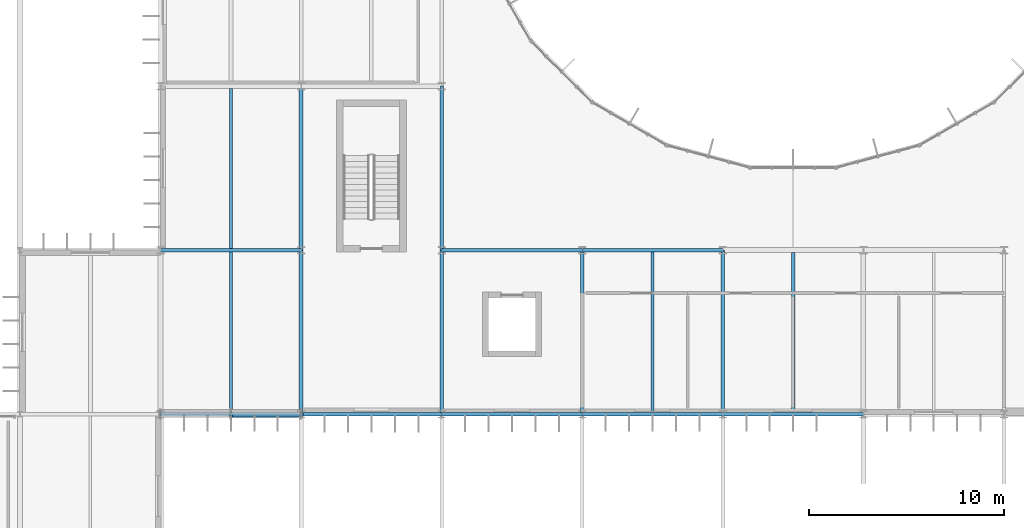
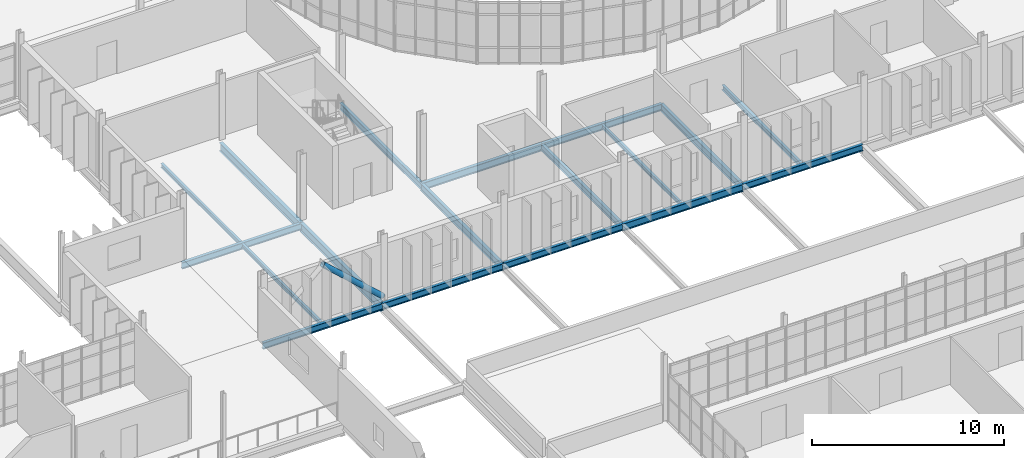
# One storey, part 40 of 119: 18 beams, 1 member.
"""IFC4 building model written with IfcOpenShell, lengths in metres."""

import ifcopenshell
import ifcopenshell.guid

model = None  # the IFC model being written
_history = None  # IfcOwnerHistory: only IFC2X3 demands one
_inside = {}  # id of a spatial element -> (the spatial element, [elements in it])
_under = {}  # id of a project, library or spatial element -> (it, [spatial elements below it])
_declared = {}  # id of a project -> (the project, [libraries it declares])
_typed = {}  # id of a type object -> (the type object, [elements of that type])
_made_of = {}  # id of a material, layer set ... -> (it, [elements and type objects made of it])


def new_model(schema):
    """Start an empty IFC model of exactly this schema.

    Asked for "IFC4X3", IfcOpenShell would pick the latest addendum, in which some entities
    have other attributes; the version numbers below select the first issue.
    IFC2X3 requires an IfcOwnerHistory on every rooted entity: one is made here for all.
    """
    global model, _history
    if schema == "IFC4X3":
        model = ifcopenshell.file(schema_version=(4, 3, 0, 0))
    else:
        model = ifcopenshell.file(schema=schema)
    _inside.clear()
    _under.clear()
    _declared.clear()
    _typed.clear()
    _made_of.clear()
    _history = None
    if model.schema == "IFC2X3":
        org = make("IfcOrganization", Name="unknown")
        user = make(
            "IfcPersonAndOrganization",
            ThePerson=make("IfcPerson", FamilyName="unknown"),
            TheOrganization=org,
        )
        app = make(
            "IfcApplication",
            ApplicationDeveloper=org,
            Version="unknown",
            ApplicationFullName="unknown",
            ApplicationIdentifier="unknown",
        )
        _history = make(
            "IfcOwnerHistory",
            OwningUser=user,
            OwningApplication=app,
            ChangeAction="ADDED",
            CreationDate=0,
        )
    return model


def make(cls, **values):
    """One entity of the class cls with the attributes given. An attribute that is None is left unset."""
    return model.create_entity(
        cls, **{name: value for name, value in values.items() if value is not None}
    )


def rooted(cls, **values):
    """An entity with a GlobalId (a new one), such as an element, a storey or a relation."""
    return make(cls, GlobalId=ifcopenshell.guid.new(), OwnerHistory=_history, **values)


def si_unit(unit_type, name, prefix=None):
    """IfcSIUnit, for example si_unit("LENGTHUNIT", "METRE", prefix="MILLI")."""
    return make("IfcSIUnit", UnitType=unit_type, Prefix=prefix, Name=name)


def assignment(units):
    """IfcUnitAssignment: the units of a project."""
    return None if units is None else make("IfcUnitAssignment", Units=units)


def point(xyz):
    """IfcCartesianPoint."""
    return None if xyz is None else make("IfcCartesianPoint", Coordinates=xyz)


def direction(xyz):
    """IfcDirection."""
    return None if xyz is None else make("IfcDirection", DirectionRatios=xyz)


def frame(location, z_axis=None, x_axis=None):
    """IfcAxis2Placement3D, a coordinate frame: its origin and axes. An axis left out is left unset."""
    return make(
        "IfcAxis2Placement3D",
        Location=point(location),
        Axis=direction(z_axis),
        RefDirection=direction(x_axis),
    )


def frame_2d(location, x_axis=None):
    """IfcAxis2Placement2D, a coordinate frame in the plane: its origin and x axis."""
    return make(
        "IfcAxis2Placement2D", Location=point(location), RefDirection=direction(x_axis)
    )


def origin():
    """The frame at (0, 0, 0) with its axes left unset."""
    return frame((0.0, 0.0, 0.0))


def origin_2d():
    """The frame at (0, 0) in the plane with its x axis left unset."""
    return frame_2d((0.0, 0.0))


def place(relative_to, where):
    """IfcLocalPlacement: puts the frame where relative to a parent placement (None: the world)."""
    return make(
        "IfcLocalPlacement", PlacementRelTo=relative_to, RelativePlacement=where
    )


def context(
    kind, dimensions, precision=None, world=None, true_north=None, identifier=None
):
    """IfcGeometricRepresentationContext, for example the 3D "Model" context."""
    return make(
        "IfcGeometricRepresentationContext",
        ContextIdentifier=identifier,
        ContextType=kind,
        CoordinateSpaceDimension=dimensions,
        Precision=precision,
        WorldCoordinateSystem=world,
        TrueNorth=true_north,
    )


def subcontext(parent, identifier, kind, view, scale=None):
    """IfcGeometricRepresentationSubContext, for example "Body" below "Model"."""
    return make(
        "IfcGeometricRepresentationSubContext",
        ContextIdentifier=identifier,
        ContextType=kind,
        ParentContext=parent,
        TargetScale=scale,
        TargetView=view,
    )


def project(units=None, contexts=None):
    """IfcProject with its units and contexts."""
    return rooted(
        "IfcProject",
        Name="project",
        RepresentationContexts=contexts,
        UnitsInContext=assignment(units),
    )


def spatial(cls, under=None, at=None, **own):
    """A site, building, storey or space (cls), placed at a placement, below another one or the project."""
    s = rooted(cls, ObjectPlacement=at, **own)
    if under is not None:
        _under.setdefault(under.id(), (under, []))[1].append(s)
    return s


def profile(cls, at=None, kind="AREA", **sizes):
    """A parametric profile (cls). Its sizes go by their IFC names, for example OverallWidth=200.0."""
    return make(cls, ProfileType=kind, Position=at, **sizes)


def hollow_circle(**sizes):
    """IfcCircleHollowProfileDef."""
    return profile("IfcCircleHollowProfileDef", **sizes)


def i_section(**sizes):
    """IfcIShapeProfileDef."""
    return profile("IfcIShapeProfileDef", **sizes)


def extrude(swept, where, along, depth):
    """IfcExtrudedAreaSolid: the profile swept, set in the frame where, extruded along a direction by depth."""
    return make(
        "IfcExtrudedAreaSolid",
        SweptArea=swept,
        Position=where,
        ExtrudedDirection=direction(along),
        Depth=depth,
    )


def shape(context_of_items, identifier, shape_type, items):
    """IfcShapeRepresentation: the items that make up one representation, for example the "Body"."""
    return make(
        "IfcShapeRepresentation",
        ContextOfItems=context_of_items,
        RepresentationIdentifier=identifier,
        RepresentationType=shape_type,
        Items=items,
    )


def material(Name=None, Category=None):
    """IfcMaterial."""
    return make("IfcMaterial", Name=Name, Category=Category)


def material_profile(
    of_material, cross_section, Name=None, Category=None, Priority=None
):
    """IfcMaterialProfile: a cross section and its material."""
    return make(
        "IfcMaterialProfile",
        Name=Name,
        Material=of_material,
        Profile=cross_section,
        Priority=Priority,
        Category=Category,
    )


def profile_set(profiles, Name=None, composite=None):
    """IfcMaterialProfileSet."""
    return make(
        "IfcMaterialProfileSet",
        Name=Name,
        MaterialProfiles=profiles,
        CompositeProfile=composite,
    )


def made_of(thing, what):
    """Note that an element or type object is made of a material, layer set ...; save() writes the relation."""
    if what is not None:
        _made_of.setdefault(what.id(), (what, []))[1].append(thing)
    return thing


def type_object(cls, material=None, **own):
    """A type object (cls), such as IfcWallType, which elements share."""
    return made_of(rooted(cls, **own), material)


def element(
    cls,
    number,
    at=None,
    inside=None,
    cuts=None,
    type_object=None,
    material=None,
    context=None,
    identifier="Body",
    shape_type=None,
    held_by="IfcProductDefinitionShape",
    body=None,
    shapes=None,
    **own,
):
    """One element of the class cls, such as IfcWall. Its Tag is "e" and its number.

    at: its placement. inside: the storey or other place that contains it. cuts: it is an
    opening in that element (IfcRelVoidsElement). A single representation is given by context,
    identifier, shape_type and body (its items); several are given by shapes. held_by: the class
    of the entity that holds the representations. save() writes the other relations.
    """
    e = rooted(cls, Tag="e%d" % number, ObjectPlacement=at, **own)
    if body is not None:
        shapes = [shape(context, identifier, shape_type, body)]
    if shapes is not None:
        e.Representation = make(held_by, Representations=shapes)
    if inside is not None:
        _inside.setdefault(inside.id(), (inside, []))[1].append(e)
    if cuts is not None:
        rooted(
            "IfcRelVoidsElement", RelatingBuildingElement=cuts, RelatedOpeningElement=e
        )
    if type_object is not None:
        _typed.setdefault(type_object.id(), (type_object, []))[1].append(e)
    return made_of(e, material)


def aggregate(whole, parts):
    """IfcRelAggregates: a whole, such as a stair, and the parts it consists of."""
    return rooted("IfcRelAggregates", RelatingObject=whole, RelatedObjects=parts)


def save(model, path):
    """Write the relations noted so far, then the file.

    IfcRelAggregates (storeys below a building ...), IfcRelContainedInSpatialStructure (elements
    in a storey), IfcRelDefinesByType, IfcRelAssociatesMaterial and IfcRelDeclares: one each for
    every whole, place, type object, material and project.
    """
    for whole, parts in _under.values():
        aggregate(whole, parts)
    for where, things in _inside.values():
        rooted(
            "IfcRelContainedInSpatialStructure",
            RelatedElements=things,
            RelatingStructure=where,
        )
    for kind, things in _typed.values():
        rooted("IfcRelDefinesByType", RelatedObjects=things, RelatingType=kind)
    for what, things in _made_of.values():
        rooted("IfcRelAssociatesMaterial", RelatedObjects=things, RelatingMaterial=what)
    for by, libraries in _declared.values():
        rooted("IfcRelDeclares", RelatingContext=by, RelatedDefinitions=libraries)
    model.write(path)


model = new_model("IFC4")

# Units and contexts
model_context = context("Model", 3, precision=1e-05, world=origin(), true_north=direction((0.0, 1.0)))
body_context = subcontext(model_context, "Body", "Model", "MODEL_VIEW")
ifc_project = project(units=[si_unit("LENGTHUNIT", "METRE"), si_unit("AREAUNIT", "SQUARE_METRE"), si_unit("VOLUMEUNIT", "CUBIC_METRE"), si_unit("PLANEANGLEUNIT", "RADIAN"), si_unit("MASSUNIT", "GRAM", prefix="KILO")], contexts=[model_context])

# Site, building, storey
site_placement = place(None, origin())
site = spatial("IfcSite", under=ifc_project, at=site_placement, CompositionType="ELEMENT")
building_placement = place(site_placement, origin())
building = spatial("IfcBuilding", under=site, at=building_placement, Name="Qelthora Terrace Specialist Clinic", CompositionType="ELEMENT")
storey_placement = place(building_placement, frame((0.0, 0.0, 4.800048828125)))
storey = spatial("IfcBuildingStorey", under=building, at=storey_placement, Name="L01", CompositionType="ELEMENT", Elevation=4.800048828125)

# Beams
ifc_material = material(Name="Steel S355", Category="steel")
ifc_material_profile_1 = material_profile(ifc_material, i_section(OverallWidth=0.178955078125, OverallDepth=0.409912109375, WebThickness=0.0087890625, FlangeThickness=0.014404296875, FilletRadius=0.011962890625, at=origin_2d()), Name="W410X67")
ifc_profile_set_1 = profile_set([ifc_material_profile_1], Name="Steel S355")
beam_type_1 = type_object("IfcBeamType", Name="BM-W410X67", PredefinedType="BEAM", material=ifc_profile_set_1)
for number, where, z_axis, x_axis, name in (
    (1, (93.60009765625, 33.60009765625, -0.455078125), (1.0, 0.0, 0.0), (0.0, 1.0, 0.0), "Girder BMX-L01-0206"),
    (2, (108.0, 33.60009765625, -0.455078125), (1.0, 0.0, 0.0), (0.0, 1.0, 0.0), "Girder BMX-L01-0208"),
):
    element("IfcBeam", number, at=place(storey_placement, frame(where, z_axis=z_axis, x_axis=x_axis)), inside=storey, type_object=beam_type_1, Name=name, PredefinedType="BEAM", context=body_context, shape_type="SweptSolid", body=[
        extrude(i_section(OverallWidth=0.178955078125, OverallDepth=0.409912109375, WebThickness=0.0087890625, FlangeThickness=0.014404296875, FilletRadius=0.011962890625, at=origin_2d()), origin(), (0.0, 0.0, 1.0), 7.199951171875),
    ])
beam_1_placement = place(storey_placement, frame((122.39990234375, 33.60009765625, -0.455078125), z_axis=(1.0, 0.0, 0.0), x_axis=(0.0, 1.0, 0.0)))
element("IfcBeam", 3, at=beam_1_placement, inside=storey, type_object=beam_type_1, Name="Girder BMX-L01-0210", PredefinedType="BEAM", context=body_context, shape_type="SweptSolid", body=[
    extrude(i_section(OverallWidth=0.178955078125, OverallDepth=0.409912109375, WebThickness=0.0087890625, FlangeThickness=0.014404296875, FilletRadius=0.011962890625, at=origin_2d()), origin(), (0.0, 0.0, 1.0), 7.2001953125),
])
for number, where, z_axis, x_axis, name in (
    (4, (93.60009765625, 42.0, -0.455078125), (1.0, 0.0, 0.0), (0.0, 1.0, 0.0), "Girder BMX-L01-0222"),
    (5, (115.199951171875, 42.0, -0.455078125), (1.0, 0.0, 0.0), (0.0, 1.0, 0.0), "Girder BMX-L01-0224"),
):
    element("IfcBeam", number, at=place(storey_placement, frame(where, z_axis=z_axis, x_axis=x_axis)), inside=storey, type_object=beam_type_1, Name=name, PredefinedType="BEAM", context=body_context, shape_type="SweptSolid", body=[
        extrude(i_section(OverallWidth=0.178955078125, OverallDepth=0.409912109375, WebThickness=0.0087890625, FlangeThickness=0.014404296875, FilletRadius=0.011962890625, at=origin_2d()), origin(), (0.0, 0.0, 1.0), 7.199951171875),
    ])
beam_2_placement = place(storey_placement, frame((115.199951171875, 33.60009765625, -0.455078125), z_axis=(0.0, 1.0, 0.0), x_axis=(-1.0, 0.0, 0.0)))
element("IfcBeam", 6, at=beam_2_placement, inside=storey, type_object=beam_type_1, Name="Girder BMY-L01-0490", PredefinedType="BEAM", context=body_context, shape_type="SweptSolid", body=[
    extrude(i_section(OverallWidth=0.178955078125, OverallDepth=0.409912109375, WebThickness=0.0087890625, FlangeThickness=0.014404296875, FilletRadius=0.011962890625, at=origin_2d()), origin(), (0.0, 0.0, 1.0), 8.39990234375),
])
ifc_material_profile_2 = material_profile(ifc_material, i_section(OverallWidth=0.179931640625, OverallDepth=0.4130859375, WebThickness=0.009765625, FlangeThickness=0.01611328125, FilletRadius=0.011962890625, at=origin_2d()), Name="W410X75")
ifc_profile_set_2 = profile_set([ifc_material_profile_2], Name="Steel S355")
beam_type_2 = type_object("IfcBeamType", Name="BM-W410X75", PredefinedType="BEAM", material=ifc_profile_set_2)
beam_3_placement = place(storey_placement, frame((100.800048828125, 33.60009765625, -0.45654296875), z_axis=(1.0, 0.0, 0.0), x_axis=(0.0, 1.0, 0.0)))
element("IfcBeam", 7, at=beam_3_placement, inside=storey, type_object=beam_type_2, Name="Girder BMX-L01-0207", PredefinedType="BEAM", context=body_context, shape_type="SweptSolid", body=[
    extrude(i_section(OverallWidth=0.179931640625, OverallDepth=0.4130859375, WebThickness=0.009765625, FlangeThickness=0.01611328125, FilletRadius=0.011962890625, at=origin_2d()), origin(), (0.0, 0.0, 1.0), 7.199951171875),
])
beam_4_placement = place(storey_placement, frame((108.0, 42.0, -0.45654296875), z_axis=(0.0, 1.0, 0.0), x_axis=(-1.0, 0.0, 0.0)))
element("IfcBeam", 8, at=beam_4_placement, inside=storey, type_object=beam_type_2, Name="Girder BMY-L01-0479", PredefinedType="BEAM", context=body_context, shape_type="SweptSolid", body=[
    extrude(i_section(OverallWidth=0.179931640625, OverallDepth=0.4130859375, WebThickness=0.009765625, FlangeThickness=0.01611328125, FilletRadius=0.011962890625, at=origin_2d()), origin(), (0.0, 0.0, 1.0), 8.39990234375),
])
ifc_material_profile_3 = material_profile(ifc_material, i_section(OverallWidth=0.19091796875, OverallDepth=0.4599609375, WebThickness=0.010009765625, FlangeThickness=0.01611328125, FilletRadius=0.012939453125, at=origin_2d()), Name="W460X82")
ifc_profile_set_3 = profile_set([ifc_material_profile_3], Name="Steel S355")
beam_type_3 = type_object("IfcBeamType", Name="BM-W460X82", PredefinedType="BEAM", material=ifc_profile_set_3)
for number, where, z_axis, x_axis, name in (
    (9, (115.199951171875, 33.60009765625, -0.47998046875), (1.0, 0.0, 0.0), (0.0, 1.0, 0.0), "Girder BMX-L01-0209"),
    (10, (108.0, 42.0, -0.47998046875), (1.0, 0.0, 0.0), (0.0, 1.0, 0.0), "Girder BMX-L01-0223"),
):
    element("IfcBeam", number, at=place(storey_placement, frame(where, z_axis=z_axis, x_axis=x_axis)), inside=storey, type_object=beam_type_3, Name=name, PredefinedType="BEAM", context=body_context, shape_type="SweptSolid", body=[
        extrude(i_section(OverallWidth=0.19091796875, OverallDepth=0.4599609375, WebThickness=0.010009765625, FlangeThickness=0.01611328125, FilletRadius=0.012939453125, at=origin_2d()), origin(), (0.0, 0.0, 1.0), 7.199951171875),
    ])
beam_5_placement = place(storey_placement, frame((108.0, 33.60009765625, -0.47998046875), z_axis=(0.0, 1.0, 0.0), x_axis=(-1.0, 0.0, 0.0)))
element("IfcBeam", 11, at=beam_5_placement, inside=storey, type_object=beam_type_3, Name="Girder BMY-L01-0478", PredefinedType="BEAM", context=body_context, shape_type="SweptSolid", body=[
    extrude(i_section(OverallWidth=0.19091796875, OverallDepth=0.4599609375, WebThickness=0.010009765625, FlangeThickness=0.01611328125, FilletRadius=0.012939453125, at=origin_2d()), origin(), (0.0, 0.0, 1.0), 8.39990234375),
])
ifc_material_profile_4 = material_profile(ifc_material, i_section(OverallWidth=0.193115234375, OverallDepth=0.466064453125, WebThickness=0.011474609375, FlangeThickness=0.01904296875, FilletRadius=0.012939453125, at=origin_2d()), Name="W460X97")
ifc_profile_set_4 = profile_set([ifc_material_profile_4], Name="Steel S355")
beam_type_4 = type_object("IfcBeamType", Name="BM-W460X97", PredefinedType="BEAM", material=ifc_profile_set_4)
beam_6_placement = place(storey_placement, frame((122.39990234375, 33.60009765625, -0.483154296875), z_axis=(0.0, 1.0, 0.0), x_axis=(-1.0, 0.0, 0.0)))
element("IfcBeam", 12, at=beam_6_placement, inside=storey, type_object=beam_type_4, Name="Girder BMY-L01-0497", PredefinedType="BEAM", context=body_context, shape_type="SweptSolid", body=[
    extrude(i_section(OverallWidth=0.193115234375, OverallDepth=0.466064453125, WebThickness=0.011474609375, FlangeThickness=0.01904296875, FilletRadius=0.012939453125, at=origin_2d()), origin(), (0.0, 0.0, 1.0), 8.39990234375),
])
ifc_material_profile_5 = material_profile(ifc_material, i_section(OverallWidth=0.2099609375, OverallDepth=0.537109375, WebThickness=0.010986328125, FlangeThickness=0.017333984375, FilletRadius=0.013916015625, at=origin_2d()), Name="W530X101")
ifc_profile_set_5 = profile_set([ifc_material_profile_5], Name="Steel S355")
beam_type_5 = type_object("IfcBeamType", Name="BM-W530X101", PredefinedType="BEAM", material=ifc_profile_set_5)
beam_7_placement = place(storey_placement, frame((100.800048828125, 42.0, -0.5185546875), z_axis=(0.0, 1.0, 0.0), x_axis=(-1.0, 0.0, 0.0)))
element("IfcBeam", 13, at=beam_7_placement, inside=storey, type_object=beam_type_5, Name="Girder BMY-L01-0466", PredefinedType="BEAM", context=body_context, shape_type="SweptSolid", body=[
    extrude(i_section(OverallWidth=0.2099609375, OverallDepth=0.537109375, WebThickness=0.010986328125, FlangeThickness=0.017333984375, FilletRadius=0.013916015625, at=origin_2d()), origin(), (0.0, 0.0, 1.0), 8.39990234375),
])
ifc_material_profile_6 = material_profile(ifc_material, i_section(OverallWidth=0.2119140625, OverallDepth=0.5439453125, WebThickness=0.01318359375, FlangeThickness=0.021240234375, FilletRadius=0.013916015625, at=origin_2d()), Name="W530X123")
ifc_profile_set_6 = profile_set([ifc_material_profile_6], Name="Steel S355")
beam_type_6 = type_object("IfcBeamType", Name="BM-W530X123", PredefinedType="BEAM", material=ifc_profile_set_6)
beam_8_placement = place(storey_placement, frame((100.800048828125, 33.60009765625, -0.52197265625), z_axis=(0.0, 1.0, 0.0), x_axis=(-1.0, 0.0, 0.0)))
element("IfcBeam", 14, at=beam_8_placement, inside=storey, type_object=beam_type_6, Name="Girder BMY-L01-0465", PredefinedType="BEAM", context=body_context, shape_type="SweptSolid", body=[
    extrude(i_section(OverallWidth=0.2119140625, OverallDepth=0.5439453125, WebThickness=0.01318359375, FlangeThickness=0.021240234375, FilletRadius=0.013916015625, at=origin_2d()), origin(), (0.0, 0.0, 1.0), 8.39990234375),
])
ifc_material_profile_7 = material_profile(ifc_material, i_section(OverallWidth=0.14599609375, OverallDepth=0.258056640625, WebThickness=0.006103515625, FlangeThickness=0.009033203125, FilletRadius=0.009033203125, at=origin_2d()), Name="W250X33")
ifc_profile_set_7 = profile_set([ifc_material_profile_7], Name="Steel S355")
beam_type_7 = type_object("IfcBeamType", Name="JST-W250X33", PredefinedType="JOIST", material=ifc_profile_set_7)
beam_9_placement = place(storey_placement, frame((97.199951171875, 42.089599609375, -0.379150390625), z_axis=(0.0, 1.0, 0.0), x_axis=(-1.0, 0.0, 0.0)))
element("IfcBeam", 15, at=beam_9_placement, inside=storey, type_object=beam_type_7, Name="Composite floor joist JST-L01-0108", PredefinedType="JOIST", context=body_context, shape_type="SweptSolid", body=[
    extrude(i_section(OverallWidth=0.14599609375, OverallDepth=0.258056640625, WebThickness=0.006103515625, FlangeThickness=0.009033203125, FilletRadius=0.009033203125, at=origin_2d()), origin(), (0.0, 0.0, 1.0), 8.204345703125),
])
beam_10_placement = place(storey_placement, frame((118.800048828125, 33.695556640625, -0.379150390625), z_axis=(0.0, 1.0, 0.0), x_axis=(-1.0, 0.0, 0.0)))
element("IfcBeam", 16, at=beam_10_placement, inside=storey, type_object=beam_type_7, Name="Composite floor joist JST-L01-0126", PredefinedType="JOIST", context=body_context, shape_type="SweptSolid", body=[
    extrude(i_section(OverallWidth=0.14599609375, OverallDepth=0.258056640625, WebThickness=0.006103515625, FlangeThickness=0.009033203125, FilletRadius=0.009033203125, at=origin_2d()), origin(), (0.0, 0.0, 1.0), 8.21484375),
])
ifc_material_profile_8 = material_profile(ifc_material, i_section(OverallWidth=0.14697265625, OverallDepth=0.261962890625, WebThickness=0.006591796875, FlangeThickness=0.01123046875, FilletRadius=0.009033203125, at=origin_2d()), Name="W250X39")
ifc_profile_set_8 = profile_set([ifc_material_profile_8], Name="Steel S355")
beam_type_8 = type_object("IfcBeamType", Name="JST-W250X39", PredefinedType="JOIST", material=ifc_profile_set_8)
beam_11_placement = place(storey_placement, frame((97.199951171875, 33.689453125, -0.381103515625), z_axis=(0.0, 1.0, 0.0), x_axis=(-1.0, 0.0, 0.0)))
element("IfcBeam", 17, at=beam_11_placement, inside=storey, type_object=beam_type_8, Name="Composite floor joist JST-L01-0107", PredefinedType="JOIST", context=body_context, shape_type="SweptSolid", body=[
    extrude(i_section(OverallWidth=0.14697265625, OverallDepth=0.261962890625, WebThickness=0.006591796875, FlangeThickness=0.01123046875, FilletRadius=0.009033203125, at=origin_2d()), origin(), (0.0, 0.0, 1.0), 8.220947265625),
])
ifc_material_profile_9 = material_profile(ifc_material, i_section(OverallWidth=0.166015625, OverallDepth=0.31298828125, WebThickness=0.006591796875, FlangeThickness=0.01123046875, FilletRadius=0.010009765625, at=origin_2d()), Name="W310X45")
ifc_profile_set_9 = profile_set([ifc_material_profile_9], Name="Steel S355")
beam_type_9 = type_object("IfcBeamType", Name="JST-W310X45", PredefinedType="JOIST", material=ifc_profile_set_9)
beam_12_placement = place(storey_placement, frame((126.0, 33.689453125, -0.406494140625), z_axis=(0.0, 1.0, 0.0), x_axis=(-1.0, 0.0, 0.0)))
element("IfcBeam", 18, at=beam_12_placement, inside=storey, type_object=beam_type_9, Name="Composite floor joist JST-L01-0130", PredefinedType="JOIST", context=body_context, shape_type="SweptSolid", body=[
    extrude(i_section(OverallWidth=0.166015625, OverallDepth=0.31298828125, WebThickness=0.006591796875, FlangeThickness=0.01123046875, FilletRadius=0.010009765625, at=origin_2d()), origin(), (0.0, 0.0, 1.0), 8.1826171875),
])

# Member
ifc_material_profile_10 = material_profile(ifc_material, hollow_circle(Radius=0.16162109375, WallThickness=0.011962890625, at=origin_2d()), Name="CHS323X12")
ifc_profile_set_10 = profile_set([ifc_material_profile_10], Name="Steel S355")
member_type = type_object("IfcMemberType", Name="MEM-BRACE-CHS323", PredefinedType="BRACE", material=ifc_profile_set_10)
member_placement = place(storey_placement, frame((100.800048828125, 33.60009765625, 0.179931640625), z_axis=(-0.740226205678, 0.0, 0.672357913933), x_axis=(0.0, -1.0, 0.0)))
element("IfcMember", 19, at=member_placement, inside=storey, type_object=member_type, Name="Concentric seismic chevron brace B8-L01B", PredefinedType="BRACE", context=body_context, shape_type="SweptSolid", body=[
    extrude(hollow_circle(Radius=0.16162109375, WallThickness=0.011962890625, at=origin_2d()), origin(), (0.0, 0.0, 1.0), 4.863525390625),
])

save(model, "model.ifc")
